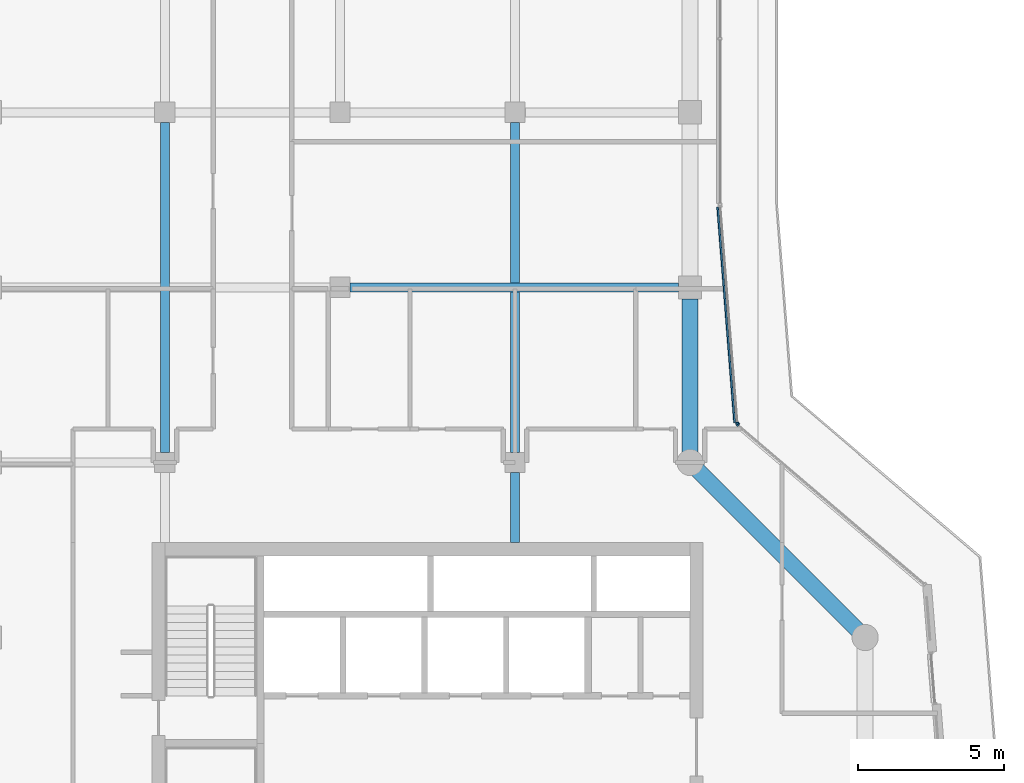
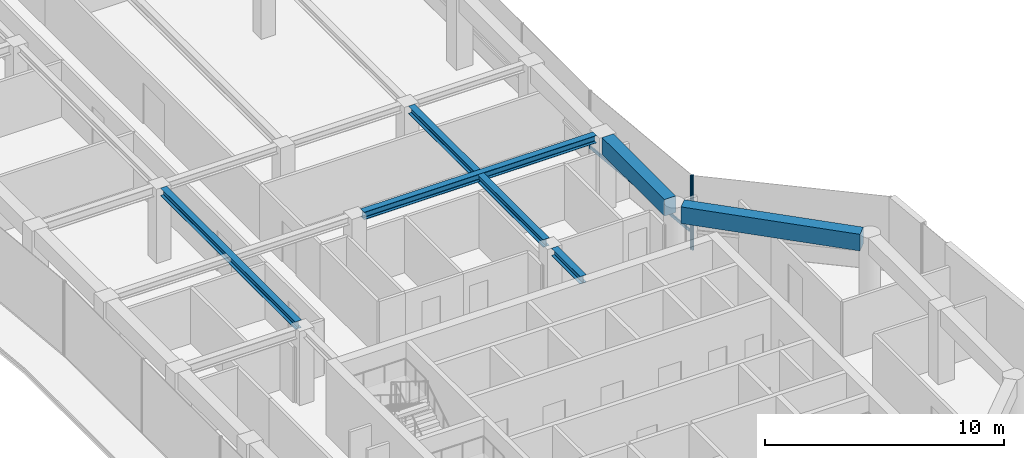
# One storey, part 5 of 23: 6 beams, 3 members, 2 elements without a shape of their own.
"""IFC4 building model written with IfcOpenShell, lengths in metres."""

import ifcopenshell
import ifcopenshell.guid

model = None  # the IFC model being written
_history = None  # IfcOwnerHistory: only IFC2X3 demands one
_inside = {}  # id of a spatial element -> (the spatial element, [elements in it])
_under = {}  # id of a project, library or spatial element -> (it, [spatial elements below it])
_declared = {}  # id of a project -> (the project, [libraries it declares])
_typed = {}  # id of a type object -> (the type object, [elements of that type])
_made_of = {}  # id of a material, layer set ... -> (it, [elements and type objects made of it])


def new_model(schema):
    """Start an empty IFC model of exactly this schema.

    Asked for "IFC4X3", IfcOpenShell would pick the latest addendum, in which some entities
    have other attributes; the version numbers below select the first issue.
    IFC2X3 requires an IfcOwnerHistory on every rooted entity: one is made here for all.
    """
    global model, _history
    if schema == "IFC4X3":
        model = ifcopenshell.file(schema_version=(4, 3, 0, 0))
    else:
        model = ifcopenshell.file(schema=schema)
    _inside.clear()
    _under.clear()
    _declared.clear()
    _typed.clear()
    _made_of.clear()
    _history = None
    if model.schema == "IFC2X3":
        org = make("IfcOrganization", Name="unknown")
        user = make(
            "IfcPersonAndOrganization",
            ThePerson=make("IfcPerson", FamilyName="unknown"),
            TheOrganization=org,
        )
        app = make(
            "IfcApplication",
            ApplicationDeveloper=org,
            Version="unknown",
            ApplicationFullName="unknown",
            ApplicationIdentifier="unknown",
        )
        _history = make(
            "IfcOwnerHistory",
            OwningUser=user,
            OwningApplication=app,
            ChangeAction="ADDED",
            CreationDate=0,
        )
    return model


def make(cls, **values):
    """One entity of the class cls with the attributes given. An attribute that is None is left unset."""
    return model.create_entity(
        cls, **{name: value for name, value in values.items() if value is not None}
    )


def rooted(cls, **values):
    """An entity with a GlobalId (a new one), such as an element, a storey or a relation."""
    return make(cls, GlobalId=ifcopenshell.guid.new(), OwnerHistory=_history, **values)


def si_unit(unit_type, name, prefix=None):
    """IfcSIUnit, for example si_unit("LENGTHUNIT", "METRE", prefix="MILLI")."""
    return make("IfcSIUnit", UnitType=unit_type, Prefix=prefix, Name=name)


def assignment(units):
    """IfcUnitAssignment: the units of a project."""
    return None if units is None else make("IfcUnitAssignment", Units=units)


def point(xyz):
    """IfcCartesianPoint."""
    return None if xyz is None else make("IfcCartesianPoint", Coordinates=xyz)


def direction(xyz):
    """IfcDirection."""
    return None if xyz is None else make("IfcDirection", DirectionRatios=xyz)


def frame(location, z_axis=None, x_axis=None):
    """IfcAxis2Placement3D, a coordinate frame: its origin and axes. An axis left out is left unset."""
    return make(
        "IfcAxis2Placement3D",
        Location=point(location),
        Axis=direction(z_axis),
        RefDirection=direction(x_axis),
    )


def frame_2d(location, x_axis=None):
    """IfcAxis2Placement2D, a coordinate frame in the plane: its origin and x axis."""
    return make(
        "IfcAxis2Placement2D", Location=point(location), RefDirection=direction(x_axis)
    )


def origin():
    """The frame at (0, 0, 0) with its axes left unset."""
    return frame((0.0, 0.0, 0.0))


def origin_2d():
    """The frame at (0, 0) in the plane with its x axis left unset."""
    return frame_2d((0.0, 0.0))


def place(relative_to, where):
    """IfcLocalPlacement: puts the frame where relative to a parent placement (None: the world)."""
    return make(
        "IfcLocalPlacement", PlacementRelTo=relative_to, RelativePlacement=where
    )


def context(
    kind, dimensions, precision=None, world=None, true_north=None, identifier=None
):
    """IfcGeometricRepresentationContext, for example the 3D "Model" context."""
    return make(
        "IfcGeometricRepresentationContext",
        ContextIdentifier=identifier,
        ContextType=kind,
        CoordinateSpaceDimension=dimensions,
        Precision=precision,
        WorldCoordinateSystem=world,
        TrueNorth=true_north,
    )


def subcontext(parent, identifier, kind, view, scale=None):
    """IfcGeometricRepresentationSubContext, for example "Body" below "Model"."""
    return make(
        "IfcGeometricRepresentationSubContext",
        ContextIdentifier=identifier,
        ContextType=kind,
        ParentContext=parent,
        TargetScale=scale,
        TargetView=view,
    )


def project(units=None, contexts=None):
    """IfcProject with its units and contexts."""
    return rooted(
        "IfcProject",
        Name="project",
        RepresentationContexts=contexts,
        UnitsInContext=assignment(units),
    )


def spatial(cls, under=None, at=None, **own):
    """A site, building, storey or space (cls), placed at a placement, below another one or the project."""
    s = rooted(cls, ObjectPlacement=at, **own)
    if under is not None:
        _under.setdefault(under.id(), (under, []))[1].append(s)
    return s


def profile(cls, at=None, kind="AREA", **sizes):
    """A parametric profile (cls). Its sizes go by their IFC names, for example OverallWidth=200.0."""
    return make(cls, ProfileType=kind, Position=at, **sizes)


def rectangle(**sizes):
    """IfcRectangleProfileDef."""
    return profile("IfcRectangleProfileDef", **sizes)


def i_section(**sizes):
    """IfcIShapeProfileDef."""
    return profile("IfcIShapeProfileDef", **sizes)


def extrude(swept, where, along, depth):
    """IfcExtrudedAreaSolid: the profile swept, set in the frame where, extruded along a direction by depth."""
    return make(
        "IfcExtrudedAreaSolid",
        SweptArea=swept,
        Position=where,
        ExtrudedDirection=direction(along),
        Depth=depth,
    )


def shape(context_of_items, identifier, shape_type, items):
    """IfcShapeRepresentation: the items that make up one representation, for example the "Body"."""
    return make(
        "IfcShapeRepresentation",
        ContextOfItems=context_of_items,
        RepresentationIdentifier=identifier,
        RepresentationType=shape_type,
        Items=items,
    )


def material(Name=None, Category=None):
    """IfcMaterial."""
    return make("IfcMaterial", Name=Name, Category=Category)


def layer(
    of_material, thickness, ventilated=None, Name=None, Category=None, Priority=None
):
    """IfcMaterialLayer: one layer of a wall or slab, of a material (None: an air gap)."""
    return make(
        "IfcMaterialLayer",
        Material=of_material,
        LayerThickness=thickness,
        IsVentilated=ventilated,
        Name=Name,
        Category=Category,
        Priority=Priority,
    )


def layer_set(layers, Name=None):
    """IfcMaterialLayerSet."""
    return make("IfcMaterialLayerSet", MaterialLayers=layers, LayerSetName=Name)


def material_profile(
    of_material, cross_section, Name=None, Category=None, Priority=None
):
    """IfcMaterialProfile: a cross section and its material."""
    return make(
        "IfcMaterialProfile",
        Name=Name,
        Material=of_material,
        Profile=cross_section,
        Priority=Priority,
        Category=Category,
    )


def profile_set(profiles, Name=None, composite=None):
    """IfcMaterialProfileSet."""
    return make(
        "IfcMaterialProfileSet",
        Name=Name,
        MaterialProfiles=profiles,
        CompositeProfile=composite,
    )


def made_of(thing, what):
    """Note that an element or type object is made of a material, layer set ...; save() writes the relation."""
    if what is not None:
        _made_of.setdefault(what.id(), (what, []))[1].append(thing)
    return thing


def type_object(cls, material=None, **own):
    """A type object (cls), such as IfcWallType, which elements share."""
    return made_of(rooted(cls, **own), material)


def element(
    cls,
    number,
    at=None,
    inside=None,
    cuts=None,
    type_object=None,
    material=None,
    context=None,
    identifier="Body",
    shape_type=None,
    held_by="IfcProductDefinitionShape",
    body=None,
    shapes=None,
    **own,
):
    """One element of the class cls, such as IfcWall. Its Tag is "e" and its number.

    at: its placement. inside: the storey or other place that contains it. cuts: it is an
    opening in that element (IfcRelVoidsElement). A single representation is given by context,
    identifier, shape_type and body (its items); several are given by shapes. held_by: the class
    of the entity that holds the representations. save() writes the other relations.
    """
    e = rooted(cls, Tag="e%d" % number, ObjectPlacement=at, **own)
    if body is not None:
        shapes = [shape(context, identifier, shape_type, body)]
    if shapes is not None:
        e.Representation = make(held_by, Representations=shapes)
    if inside is not None:
        _inside.setdefault(inside.id(), (inside, []))[1].append(e)
    if cuts is not None:
        rooted(
            "IfcRelVoidsElement", RelatingBuildingElement=cuts, RelatedOpeningElement=e
        )
    if type_object is not None:
        _typed.setdefault(type_object.id(), (type_object, []))[1].append(e)
    return made_of(e, material)


def aggregate(whole, parts):
    """IfcRelAggregates: a whole, such as a stair, and the parts it consists of."""
    return rooted("IfcRelAggregates", RelatingObject=whole, RelatedObjects=parts)


def save(model, path):
    """Write the relations noted so far, then the file.

    IfcRelAggregates (storeys below a building ...), IfcRelContainedInSpatialStructure (elements
    in a storey), IfcRelDefinesByType, IfcRelAssociatesMaterial and IfcRelDeclares: one each for
    every whole, place, type object, material and project.
    """
    for whole, parts in _under.values():
        aggregate(whole, parts)
    for where, things in _inside.values():
        rooted(
            "IfcRelContainedInSpatialStructure",
            RelatedElements=things,
            RelatingStructure=where,
        )
    for kind, things in _typed.values():
        rooted("IfcRelDefinesByType", RelatedObjects=things, RelatingType=kind)
    for what, things in _made_of.values():
        rooted("IfcRelAssociatesMaterial", RelatedObjects=things, RelatingMaterial=what)
    for by, libraries in _declared.values():
        rooted("IfcRelDeclares", RelatingContext=by, RelatedDefinitions=libraries)
    model.write(path)


model = new_model("IFC4")

# Units and contexts
model_context = context("Model", 3, precision=1e-05, world=origin(), true_north=direction((0.0, 1.0)))
body_context = subcontext(model_context, "Body", "Model", "MODEL_VIEW")
ifc_project = project(units=[si_unit("LENGTHUNIT", "METRE"), si_unit("AREAUNIT", "SQUARE_METRE"), si_unit("VOLUMEUNIT", "CUBIC_METRE"), si_unit("PLANEANGLEUNIT", "RADIAN"), si_unit("MASSUNIT", "GRAM", prefix="KILO")], contexts=[model_context])

# Site, building, storey
site_placement = place(None, origin())
site = spatial("IfcSite", under=ifc_project, at=site_placement, CompositionType="ELEMENT")
building_placement = place(site_placement, origin())
building = spatial("IfcBuilding", under=site, at=building_placement, Name="Welwitschia Terrace Campus", CompositionType="ELEMENT")
storey_placement = place(building_placement, frame((0.0, 0.0, 209.60009765625)))
storey = spatial("IfcBuildingStorey", under=building, at=storey_placement, Name="L46", CompositionType="ELEMENT", Elevation=209.60009765625)

# Beams
ifc_material_1 = material(Name="Steel S355", Category="steel")
ifc_material_profile_1 = material_profile(ifc_material_1, i_section(OverallWidth=0.300048828125, OverallDepth=0.389892578125, WebThickness=0.010986328125, FlangeThickness=0.01904296875, FilletRadius=0.027099609375, at=origin_2d()))
ifc_profile_set_1 = profile_set([ifc_material_profile_1], Name="Steel S355")
beam_type_1 = type_object("IfcBeamType", Name="Interior girder HE 400 A", PredefinedType="BEAM", material=ifc_profile_set_1)
beam_1_placement = place(storey_placement, frame((12.3505859375, 34.0, 3.60498046875), z_axis=(1.0, 0.0, 0.0), x_axis=(0.0, 1.0, 0.0)))
element("IfcBeam", 1, at=beam_1_placement, inside=storey, type_object=beam_type_1, Name="Girder GB5", PredefinedType="BEAM", context=body_context, shape_type="SweptSolid", body=[
    extrude(i_section(OverallWidth=0.300048828125, OverallDepth=0.389892578125, WebThickness=0.010986328125, FlangeThickness=0.01904296875, FilletRadius=0.027099609375, at=origin_2d()), origin(), (0.0, 0.0, 1.0), 11.259033203125),
])
beam_2_placement = place(storey_placement, frame((6.0, 28.3505859375, 3.60498046875), z_axis=(0.0, 1.0, 0.0), x_axis=(-1.0, 0.0, 0.0)))
element("IfcBeam", 2, at=beam_2_placement, inside=storey, type_object=beam_type_1, Name="Girder GB5", PredefinedType="BEAM", context=body_context, shape_type="SweptSolid", body=[
    extrude(i_section(OverallWidth=0.300048828125, OverallDepth=0.389892578125, WebThickness=0.010986328125, FlangeThickness=0.01904296875, FilletRadius=0.027099609375, at=origin_2d()), origin(), (0.0, 0.0, 1.0), 11.298828125),
])
beam_3_placement = place(storey_placement, frame((18.0, 25.2509765625, 3.60498046875), z_axis=(0.0, 1.0, 0.0), x_axis=(-1.0, 0.0, 0.0)))
element("IfcBeam", 3, at=beam_3_placement, inside=storey, type_object=beam_type_1, Name="Girder GB5", PredefinedType="BEAM", context=body_context, shape_type="SweptSolid", body=[
    extrude(i_section(OverallWidth=0.300048828125, OverallDepth=0.389892578125, WebThickness=0.010986328125, FlangeThickness=0.01904296875, FilletRadius=0.027099609375, at=origin_2d()), origin(), (0.0, 0.0, 1.0), 2.3984375),
])
beam_4_placement = place(storey_placement, frame((18.0, 28.3505859375, 3.60498046875), z_axis=(0.0, 1.0, 0.0), x_axis=(-1.0, 0.0, 0.0)))
element("IfcBeam", 4, at=beam_4_placement, inside=storey, type_object=beam_type_1, Name="Girder GB5", PredefinedType="BEAM", context=body_context, shape_type="SweptSolid", body=[
    extrude(i_section(OverallWidth=0.300048828125, OverallDepth=0.389892578125, WebThickness=0.010986328125, FlangeThickness=0.01904296875, FilletRadius=0.027099609375, at=origin_2d()), origin(), (0.0, 0.0, 1.0), 11.298828125),
])

# Curtain wall, member
ifc_material_2 = material(Name="Bronze anodised aluminium", Category="aluminium")
ifc_layer = layer(ifc_material_2, 0.1201171875)
ifc_layer_set = layer_set([ifc_layer], Name="Bronze anodised aluminium")
curtain_wall_type = type_object("IfcCurtainWallType", Name="Curtain wall CW2 tower 6000", PredefinedType="NOTDEFINED", material=ifc_layer_set)
curtain_wall_1_placement = place(storey_placement, origin())
curtain_wall_1 = element("IfcCurtainWall", 5, at=curtain_wall_1_placement, inside=storey, type_object=curtain_wall_type, Name="CW L46.5.0", PredefinedType="NOTDEFINED")
ifc_material_3 = material(Name="Bronze anodised aluminium", Category="aluminium")
ifc_material_profile_2 = material_profile(ifc_material_3, rectangle(XDim=0.1201171875, YDim=0.06005859375, at=origin_2d()))
ifc_profile_set_2 = profile_set([ifc_material_profile_2], Name="Bronze anodised aluminium")
member_type_1 = type_object("IfcMemberType", Name="Mullion 60x120", PredefinedType="MULLION", material=ifc_profile_set_2)
member_1_placement = place(storey_placement, frame((25.643310546875, 29.29931640625, 0.0), z_axis=(0.0, 0.0, 1.0), x_axis=(-0.64944804833, -0.7604059656, 0.0)))
member_1 = element("IfcMember", 6, at=member_1_placement, type_object=member_type_1, Name="Mullion L46.5.0.1", PredefinedType="MULLION", context=body_context, shape_type="SweptSolid", body=[
    extrude(rectangle(XDim=0.1201171875, YDim=0.06005859375, at=origin_2d()), origin(), (0.0, 0.0, 1.0), 3.7998046875),
])
aggregate(curtain_wall_1, [member_1])

curtain_wall_2_placement = place(storey_placement, origin())
curtain_wall_2 = element("IfcCurtainWall", 7, at=curtain_wall_2_placement, inside=storey, type_object=curtain_wall_type, Name="CW L46.6.0", PredefinedType="NOTDEFINED")
member_2_placement = place(storey_placement, frame((25.6181640625, 29.3486328125, 0.0), z_axis=(0.0, 0.0, 1.0), x_axis=(-0.996917333733, -0.078459095728, 0.0)))
member_2 = element("IfcMember", 8, at=member_2_placement, type_object=member_type_1, Name="Mullion L46.6.0.0", PredefinedType="MULLION", context=body_context, shape_type="SweptSolid", body=[
    extrude(rectangle(XDim=0.1201171875, YDim=0.06005859375, at=origin_2d()), origin(), (0.0, 0.0, 1.0), 3.7998046875),
])

# Beams
ifc_material_4 = material(Name="Concrete C50/60", Category="concrete")
ifc_material_profile_3 = material_profile(ifc_material_4, rectangle(XDim=0.550048828125, YDim=0.85009765625, at=origin_2d()))
ifc_profile_set_3 = profile_set([ifc_material_profile_3], Name="Concrete C50/60")
beam_type_2 = type_object("IfcBeamType", Name="Ring spandrel 550x850", PredefinedType="SPANDREL", material=ifc_profile_set_3)
beam_5_placement = place(storey_placement, frame((29.74755859375, 22.25244140625, 3.375), z_axis=(-0.707106781187, 0.707106781187, 0.0), x_axis=(-0.707106781187, -0.707106781187, 0.0)))
element("IfcBeam", 9, at=beam_5_placement, inside=storey, type_object=beam_type_2, Name="Spandrel SP3", PredefinedType="SPANDREL", context=body_context, shape_type="SweptSolid", body=[
    extrude(rectangle(XDim=0.550048828125, YDim=0.85009765625, at=origin_2d()), origin(), (0.0, 0.0, 1.0), 7.771240234375),
])
beam_6_placement = place(storey_placement, frame((24.0, 28.35693359375, 3.375), z_axis=(0.0, 1.0, 0.0), x_axis=(-1.0, 0.0, 0.0)))
element("IfcBeam", 10, at=beam_6_placement, inside=storey, type_object=beam_type_2, Name="Spandrel SP3", PredefinedType="SPANDREL", context=body_context, shape_type="SweptSolid", body=[
    extrude(rectangle(XDim=0.550048828125, YDim=0.85009765625, at=origin_2d()), origin(), (0.0, 0.0, 1.0), 5.24267578125),
])

# Member
ifc_material_5 = material(Name="Bronze anodised aluminium", Category="aluminium")
ifc_material_profile_4 = material_profile(ifc_material_5, rectangle(XDim=0.06005859375, YDim=0.14990234375, at=origin_2d()))
ifc_profile_set_4 = profile_set([ifc_material_profile_4], Name="Bronze anodised aluminium")
member_type_2 = type_object("IfcMemberType", Name="Transom 60x150", PredefinedType="USERDEFINED", material=ifc_profile_set_4)
member_3_placement = place(storey_placement, frame((25.526123046875, 29.371337890625, 1.0), z_axis=(-0.0784456054, 0.996918395353, 0.0), x_axis=(-0.996918395353, -0.0784456054, 0.0)))
member_3 = element("IfcMember", 11, at=member_3_placement, type_object=member_type_2, Name="Transom L46.6.0", ObjectType="TRANSOM", PredefinedType="USERDEFINED", context=body_context, shape_type="SweptSolid", body=[
    extrude(rectangle(XDim=0.06005859375, YDim=0.14990234375, at=origin_2d()), origin(), (0.0, 0.0, 1.0), 7.406982421875),
])

aggregate(curtain_wall_2, [member_2, member_3])

save(model, "model.ifc")
